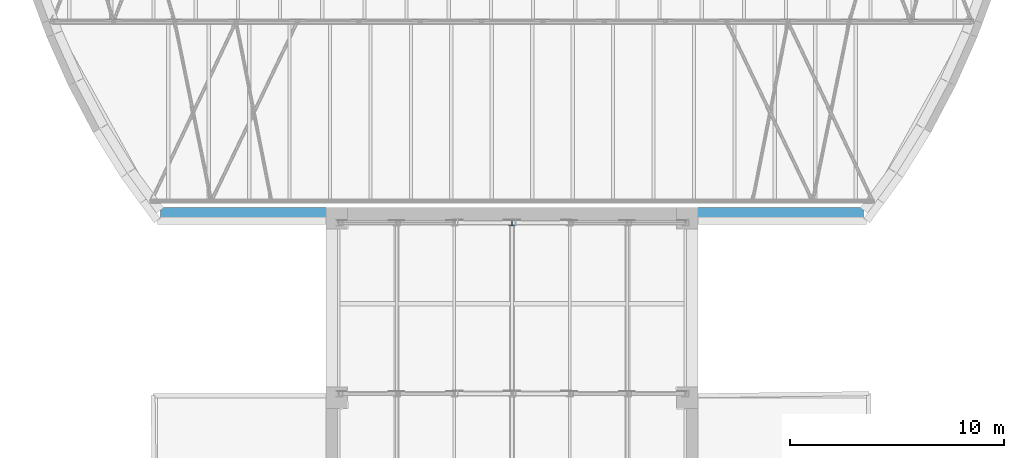
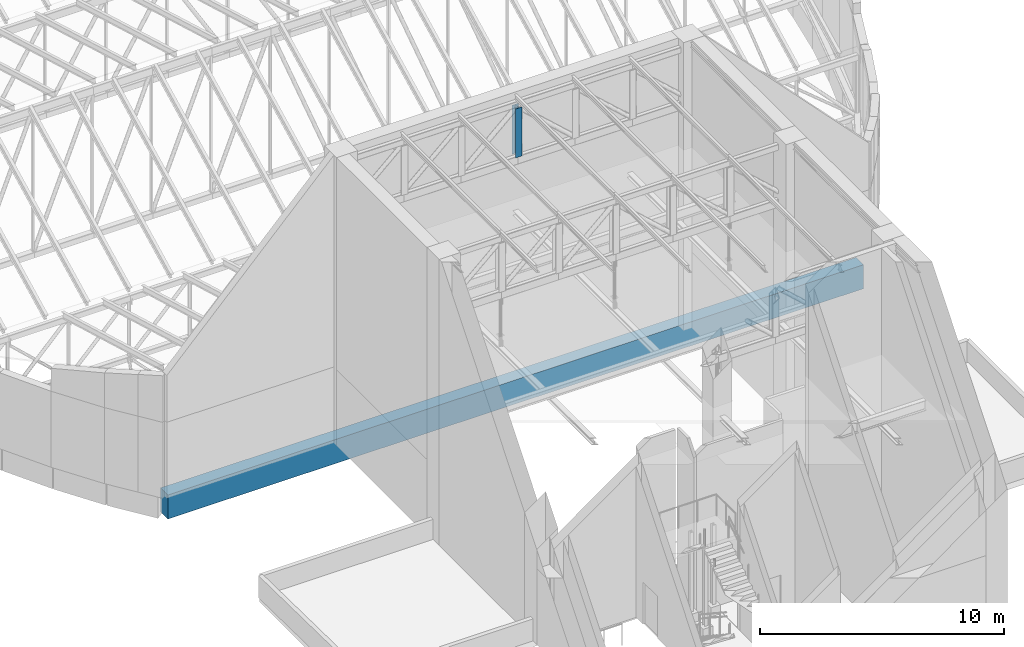
# One storey, part 11 of 68: 1 beam, 1 member.
"""IFC4 building model written with IfcOpenShell, lengths in metres."""

import ifcopenshell
import ifcopenshell.guid

model = None  # the IFC model being written
_history = None  # IfcOwnerHistory: only IFC2X3 demands one
_inside = {}  # id of a spatial element -> (the spatial element, [elements in it])
_under = {}  # id of a project, library or spatial element -> (it, [spatial elements below it])
_declared = {}  # id of a project -> (the project, [libraries it declares])
_typed = {}  # id of a type object -> (the type object, [elements of that type])
_made_of = {}  # id of a material, layer set ... -> (it, [elements and type objects made of it])


def new_model(schema):
    """Start an empty IFC model of exactly this schema.

    Asked for "IFC4X3", IfcOpenShell would pick the latest addendum, in which some entities
    have other attributes; the version numbers below select the first issue.
    IFC2X3 requires an IfcOwnerHistory on every rooted entity: one is made here for all.
    """
    global model, _history
    if schema == "IFC4X3":
        model = ifcopenshell.file(schema_version=(4, 3, 0, 0))
    else:
        model = ifcopenshell.file(schema=schema)
    _inside.clear()
    _under.clear()
    _declared.clear()
    _typed.clear()
    _made_of.clear()
    _history = None
    if model.schema == "IFC2X3":
        org = make("IfcOrganization", Name="unknown")
        user = make(
            "IfcPersonAndOrganization",
            ThePerson=make("IfcPerson", FamilyName="unknown"),
            TheOrganization=org,
        )
        app = make(
            "IfcApplication",
            ApplicationDeveloper=org,
            Version="unknown",
            ApplicationFullName="unknown",
            ApplicationIdentifier="unknown",
        )
        _history = make(
            "IfcOwnerHistory",
            OwningUser=user,
            OwningApplication=app,
            ChangeAction="ADDED",
            CreationDate=0,
        )
    return model


def make(cls, **values):
    """One entity of the class cls with the attributes given. An attribute that is None is left unset."""
    return model.create_entity(
        cls, **{name: value for name, value in values.items() if value is not None}
    )


def rooted(cls, **values):
    """An entity with a GlobalId (a new one), such as an element, a storey or a relation."""
    return make(cls, GlobalId=ifcopenshell.guid.new(), OwnerHistory=_history, **values)


def si_unit(unit_type, name, prefix=None):
    """IfcSIUnit, for example si_unit("LENGTHUNIT", "METRE", prefix="MILLI")."""
    return make("IfcSIUnit", UnitType=unit_type, Prefix=prefix, Name=name)


def assignment(units):
    """IfcUnitAssignment: the units of a project."""
    return None if units is None else make("IfcUnitAssignment", Units=units)


def point(xyz):
    """IfcCartesianPoint."""
    return None if xyz is None else make("IfcCartesianPoint", Coordinates=xyz)


def direction(xyz):
    """IfcDirection."""
    return None if xyz is None else make("IfcDirection", DirectionRatios=xyz)


def frame(location, z_axis=None, x_axis=None):
    """IfcAxis2Placement3D, a coordinate frame: its origin and axes. An axis left out is left unset."""
    return make(
        "IfcAxis2Placement3D",
        Location=point(location),
        Axis=direction(z_axis),
        RefDirection=direction(x_axis),
    )


def frame_2d(location, x_axis=None):
    """IfcAxis2Placement2D, a coordinate frame in the plane: its origin and x axis."""
    return make(
        "IfcAxis2Placement2D", Location=point(location), RefDirection=direction(x_axis)
    )


def origin():
    """The frame at (0, 0, 0) with its axes left unset."""
    return frame((0.0, 0.0, 0.0))


def origin_2d():
    """The frame at (0, 0) in the plane with its x axis left unset."""
    return frame_2d((0.0, 0.0))


def place(relative_to, where):
    """IfcLocalPlacement: puts the frame where relative to a parent placement (None: the world)."""
    return make(
        "IfcLocalPlacement", PlacementRelTo=relative_to, RelativePlacement=where
    )


def context(
    kind, dimensions, precision=None, world=None, true_north=None, identifier=None
):
    """IfcGeometricRepresentationContext, for example the 3D "Model" context."""
    return make(
        "IfcGeometricRepresentationContext",
        ContextIdentifier=identifier,
        ContextType=kind,
        CoordinateSpaceDimension=dimensions,
        Precision=precision,
        WorldCoordinateSystem=world,
        TrueNorth=true_north,
    )


def subcontext(parent, identifier, kind, view, scale=None):
    """IfcGeometricRepresentationSubContext, for example "Body" below "Model"."""
    return make(
        "IfcGeometricRepresentationSubContext",
        ContextIdentifier=identifier,
        ContextType=kind,
        ParentContext=parent,
        TargetScale=scale,
        TargetView=view,
    )


def project(units=None, contexts=None):
    """IfcProject with its units and contexts."""
    return rooted(
        "IfcProject",
        Name="project",
        RepresentationContexts=contexts,
        UnitsInContext=assignment(units),
    )


def spatial(cls, under=None, at=None, **own):
    """A site, building, storey or space (cls), placed at a placement, below another one or the project."""
    s = rooted(cls, ObjectPlacement=at, **own)
    if under is not None:
        _under.setdefault(under.id(), (under, []))[1].append(s)
    return s


def profile(cls, at=None, kind="AREA", **sizes):
    """A parametric profile (cls). Its sizes go by their IFC names, for example OverallWidth=200.0."""
    return make(cls, ProfileType=kind, Position=at, **sizes)


def rectangle(**sizes):
    """IfcRectangleProfileDef."""
    return profile("IfcRectangleProfileDef", **sizes)


def i_section(**sizes):
    """IfcIShapeProfileDef."""
    return profile("IfcIShapeProfileDef", **sizes)


def extrude(swept, where, along, depth):
    """IfcExtrudedAreaSolid: the profile swept, set in the frame where, extruded along a direction by depth."""
    return make(
        "IfcExtrudedAreaSolid",
        SweptArea=swept,
        Position=where,
        ExtrudedDirection=direction(along),
        Depth=depth,
    )


def shape(context_of_items, identifier, shape_type, items):
    """IfcShapeRepresentation: the items that make up one representation, for example the "Body"."""
    return make(
        "IfcShapeRepresentation",
        ContextOfItems=context_of_items,
        RepresentationIdentifier=identifier,
        RepresentationType=shape_type,
        Items=items,
    )


def material(Name=None, Category=None):
    """IfcMaterial."""
    return make("IfcMaterial", Name=Name, Category=Category)


def material_profile(
    of_material, cross_section, Name=None, Category=None, Priority=None
):
    """IfcMaterialProfile: a cross section and its material."""
    return make(
        "IfcMaterialProfile",
        Name=Name,
        Material=of_material,
        Profile=cross_section,
        Priority=Priority,
        Category=Category,
    )


def profile_set(profiles, Name=None, composite=None):
    """IfcMaterialProfileSet."""
    return make(
        "IfcMaterialProfileSet",
        Name=Name,
        MaterialProfiles=profiles,
        CompositeProfile=composite,
    )


def made_of(thing, what):
    """Note that an element or type object is made of a material, layer set ...; save() writes the relation."""
    if what is not None:
        _made_of.setdefault(what.id(), (what, []))[1].append(thing)
    return thing


def type_object(cls, material=None, **own):
    """A type object (cls), such as IfcWallType, which elements share."""
    return made_of(rooted(cls, **own), material)


def element(
    cls,
    number,
    at=None,
    inside=None,
    cuts=None,
    type_object=None,
    material=None,
    context=None,
    identifier="Body",
    shape_type=None,
    held_by="IfcProductDefinitionShape",
    body=None,
    shapes=None,
    **own,
):
    """One element of the class cls, such as IfcWall. Its Tag is "e" and its number.

    at: its placement. inside: the storey or other place that contains it. cuts: it is an
    opening in that element (IfcRelVoidsElement). A single representation is given by context,
    identifier, shape_type and body (its items); several are given by shapes. held_by: the class
    of the entity that holds the representations. save() writes the other relations.
    """
    e = rooted(cls, Tag="e%d" % number, ObjectPlacement=at, **own)
    if body is not None:
        shapes = [shape(context, identifier, shape_type, body)]
    if shapes is not None:
        e.Representation = make(held_by, Representations=shapes)
    if inside is not None:
        _inside.setdefault(inside.id(), (inside, []))[1].append(e)
    if cuts is not None:
        rooted(
            "IfcRelVoidsElement", RelatingBuildingElement=cuts, RelatedOpeningElement=e
        )
    if type_object is not None:
        _typed.setdefault(type_object.id(), (type_object, []))[1].append(e)
    return made_of(e, material)


def aggregate(whole, parts):
    """IfcRelAggregates: a whole, such as a stair, and the parts it consists of."""
    return rooted("IfcRelAggregates", RelatingObject=whole, RelatedObjects=parts)


def save(model, path):
    """Write the relations noted so far, then the file.

    IfcRelAggregates (storeys below a building ...), IfcRelContainedInSpatialStructure (elements
    in a storey), IfcRelDefinesByType, IfcRelAssociatesMaterial and IfcRelDeclares: one each for
    every whole, place, type object, material and project.
    """
    for whole, parts in _under.values():
        aggregate(whole, parts)
    for where, things in _inside.values():
        rooted(
            "IfcRelContainedInSpatialStructure",
            RelatedElements=things,
            RelatingStructure=where,
        )
    for kind, things in _typed.values():
        rooted("IfcRelDefinesByType", RelatedObjects=things, RelatingType=kind)
    for what, things in _made_of.values():
        rooted("IfcRelAssociatesMaterial", RelatedObjects=things, RelatingMaterial=what)
    for by, libraries in _declared.values():
        rooted("IfcRelDeclares", RelatingContext=by, RelatedDefinitions=libraries)
    model.write(path)


model = new_model("IFC4")

# Units and contexts
model_context = context("Model", 3, precision=1e-05, world=origin(), true_north=direction((0.0, 1.0)))
body_context = subcontext(model_context, "Body", "Model", "MODEL_VIEW")
ifc_project = project(units=[si_unit("LENGTHUNIT", "METRE"), si_unit("AREAUNIT", "SQUARE_METRE"), si_unit("VOLUMEUNIT", "CUBIC_METRE"), si_unit("PLANEANGLEUNIT", "RADIAN"), si_unit("MASSUNIT", "GRAM", prefix="KILO")], contexts=[model_context])

# Site, building, storey
site_placement = place(None, origin())
site = spatial("IfcSite", under=ifc_project, at=site_placement, CompositionType="ELEMENT")
building_placement = place(site_placement, origin())
building = spatial("IfcBuilding", under=site, at=building_placement, Name="Larchfold Concert Hall", CompositionType="ELEMENT")
storey_placement = place(building_placement, frame((0.0, 0.0, 28.800048828125)))
storey = spatial("IfcBuildingStorey", under=building, at=storey_placement, Name="L06", CompositionType="ELEMENT", Elevation=28.800048828125)

# Beam
ifc_material_1 = material(Name="Concrete C40/50", Category="concrete")
ifc_material_profile_1 = material_profile(ifc_material_1, rectangle(XDim=0.60009765625, YDim=1.199951171875, at=origin_2d()))
ifc_profile_set_1 = profile_set([ifc_material_profile_1], Name="Concrete C40/50")
beam_type = type_object("IfcBeamType", Name="Beam RC 600x1200", PredefinedType="BEAM", material=ifc_profile_set_1)
beam_placement = place(storey_placement, frame((26.153076171875, 59.39990234375, -0.60009765625), z_axis=(1.0, 0.0, 0.0), x_axis=(0.0, 1.0, 0.0)))
element("IfcBeam", 1, at=beam_placement, inside=storey, type_object=beam_type, Name="Beam RB50", PredefinedType="BEAM", context=body_context, shape_type="SweptSolid", body=[
    extrude(rectangle(XDim=0.60009765625, YDim=1.199951171875, at=origin_2d()), origin(), (0.0, 0.0, 1.0), 32.89404296875),
])

# Member
ifc_material_2 = material(Name="Steel S355", Category="steel")
ifc_material_profile_2 = material_profile(ifc_material_2, i_section(OverallWidth=0.300048828125, OverallDepth=0.31005859375, WebThickness=0.009033203125, FlangeThickness=0.015380859375, FilletRadius=0.027099609375, at=origin_2d()))
ifc_profile_set_2 = profile_set([ifc_material_profile_2], Name="Steel S355")
member_type = type_object("IfcMemberType", Name="Truss post HEA 320", PredefinedType="POST", material=ifc_profile_set_2)
member_placement = place(storey_placement, frame((42.60009765625, 59.0, 11.300048828125), z_axis=(0.0, 0.0, 1.0), x_axis=(1.0, 0.0, 0.0)))
element("IfcMember", 2, at=member_placement, inside=storey, type_object=member_type, Name="Member SR4V04", PredefinedType="POST", context=body_context, shape_type="SweptSolid", body=[
    extrude(i_section(OverallWidth=0.300048828125, OverallDepth=0.31005859375, WebThickness=0.009033203125, FlangeThickness=0.015380859375, FilletRadius=0.027099609375, at=origin_2d()), origin(), (0.0, 0.0, 1.0), 2.449951171875),
])

save(model, "model.ifc")
